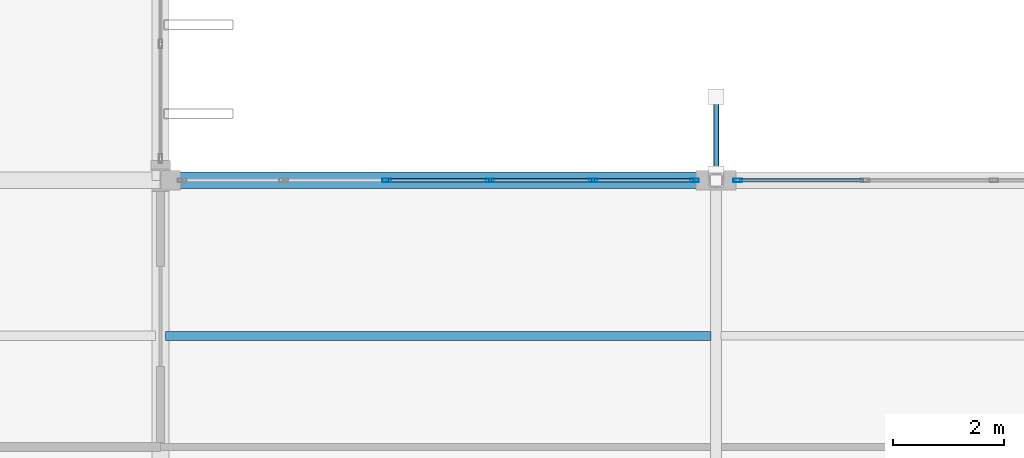
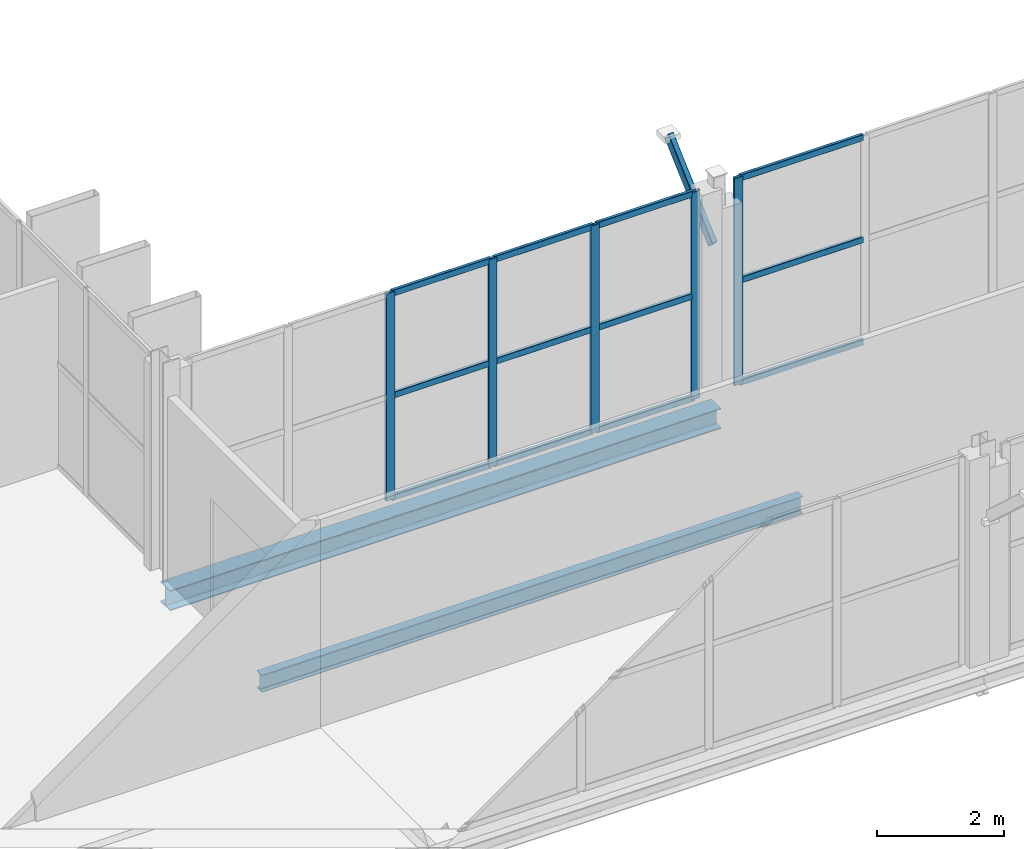
# One storey, part 46 of 101: 18 members, 2 beams, 2 elements without a shape of their own.
"""IFC4 building model written with IfcOpenShell, lengths in metres."""

from ifc_helpers import new_model, si_unit, direction, frame, origin, origin_2d, place, context, subcontext, project, spatial, hollow_rectangle, i_section, extrude, material, layer, layer_set, material_profile, profile_set, type_object, element, aggregate, save


model = new_model("IFC4")

# Units and contexts
model_context = context("Model", 3, precision=1e-05, world=origin(), true_north=direction((0.0, 1.0)))
body_context = subcontext(model_context, "Body", "Model", "MODEL_VIEW")
ifc_project = project(units=[si_unit("LENGTHUNIT", "METRE"), si_unit("AREAUNIT", "SQUARE_METRE"), si_unit("VOLUMEUNIT", "CUBIC_METRE"), si_unit("PLANEANGLEUNIT", "RADIAN"), si_unit("MASSUNIT", "GRAM", prefix="KILO")], contexts=[model_context])

# Site, building, storey
site_placement = place(None, origin())
site = spatial("IfcSite", under=ifc_project, at=site_placement, CompositionType="ELEMENT")
building_placement = place(site_placement, origin())
building = spatial("IfcBuilding", under=site, at=building_placement, Name="Vekula Escarpment Museum", CompositionType="ELEMENT")
storey_placement = place(building_placement, frame((0.0, 0.0, 18.0)))
storey = spatial("IfcBuildingStorey", under=building, at=storey_placement, Name="L04", CompositionType="ELEMENT", Elevation=18.0)

# Beams
ifc_material_1 = material(Name="Steel S355", Category="steel")
ifc_material_profile_1 = material_profile(ifc_material_1, i_section(OverallWidth=0.159912109375, OverallDepth=0.330078125, WebThickness=0.007568359375, FlangeThickness=0.011474609375, FilletRadius=0.01806640625, at=origin_2d()), Name="IPE 330")
ifc_profile_set_1 = profile_set([ifc_material_profile_1], Name="Steel S355")
beam_type_1 = type_object("IfcBeamType", Name="BM-JST-IPE330", PredefinedType="JOIST", material=ifc_profile_set_1)
beam_1_placement = place(storey_placement, frame((126.090087890625, 73.60009765625, -0.405029296875), z_axis=(1.0, 0.0, 0.0), x_axis=(0.0, 1.0, 0.0)))
element("IfcBeam", 1, at=beam_1_placement, inside=storey, type_object=beam_type_1, Name="Secondary Joist L04 1239", PredefinedType="JOIST", context=body_context, shape_type="SweptSolid", body=[
    extrude(i_section(OverallWidth=0.159912109375, OverallDepth=0.330078125, WebThickness=0.007568359375, FlangeThickness=0.011474609375, FilletRadius=0.01806640625, at=origin_2d()), origin(), (0.0, 0.0, 1.0), 9.81982421875),
])
ifc_material_2 = material(Name="Steel S355", Category="steel")
ifc_material_profile_2 = material_profile(ifc_material_2, i_section(OverallWidth=0.300048828125, OverallDepth=0.389892578125, WebThickness=0.010986328125, FlangeThickness=0.01904296875, FilletRadius=0.027099609375, at=origin_2d()), Name="HEA 400")
ifc_profile_set_2 = profile_set([ifc_material_profile_2], Name="Steel S355")
beam_type_2 = type_object("IfcBeamType", Name="BM-SPAN-HEA400", PredefinedType="SPANDREL", material=ifc_profile_set_2)
beam_2_placement = place(storey_placement, frame((126.0, 76.39990234375, -0.43505859375), z_axis=(1.0, 0.0, 0.0), x_axis=(0.0, 1.0, 0.0)))
element("IfcBeam", 2, at=beam_2_placement, inside=storey, type_object=beam_type_2, Name="Beam X L04 1756", PredefinedType="SPANDREL", context=body_context, shape_type="SweptSolid", body=[
    extrude(i_section(OverallWidth=0.300048828125, OverallDepth=0.389892578125, WebThickness=0.010986328125, FlangeThickness=0.01904296875, FilletRadius=0.027099609375, at=origin_2d()), origin(), (0.0, 0.0, 1.0), 10.0),
])

# Curtain wall, member
ifc_material_3 = material(Name="Aluminium thermally broken framing", Category="aluminium")
ifc_layer_1 = layer(ifc_material_3, 0.169921875)
ifc_layer_set_1 = layer_set([ifc_layer_1], Name="Aluminium thermally broken framing")
curtain_wall_type_1 = type_object("IfcCurtainWallType", Name="CW-SYS-10", PredefinedType="NOTDEFINED", material=ifc_layer_set_1)
curtain_wall_1_placement = place(storey_placement, origin())
curtain_wall_1 = element("IfcCurtainWall", 3, at=curtain_wall_1_placement, inside=storey, type_object=curtain_wall_type_1, Name="Curtain Wall CW-L04-150", PredefinedType="NOTDEFINED")
ifc_material_4 = material(Name="Aluminium anodized mullion", Category="aluminium")
ifc_material_profile_3 = material_profile(ifc_material_4, hollow_rectangle(XDim=0.06005859375, YDim=0.159912109375, WallThickness=0.00390625, InnerFilletRadius=0.00390625, OuterFilletRadius=0.008056640625, at=origin_2d()), Name="ALU 160x60x4")
ifc_profile_set_3 = profile_set([ifc_material_profile_3], Name="Aluminium anodized mullion")
member_type_1 = type_object("IfcMemberType", Name="CW-MUL-160", PredefinedType="MULLION", material=ifc_profile_set_3)
member_1_placement = place(storey_placement, frame((136.389892578125, 76.39990234375, 0.0), z_axis=(0.0, 0.0, 1.0), x_axis=(0.0, -1.0, 0.0)))
member_1 = element("IfcMember", 4, at=member_1_placement, type_object=member_type_1, Name="CW-10 mullion 5", PredefinedType="MULLION", context=body_context, shape_type="SweptSolid", body=[
    extrude(hollow_rectangle(XDim=0.06005859375, YDim=0.159912109375, WallThickness=0.00390625, InnerFilletRadius=0.00390625, OuterFilletRadius=0.008056640625, at=origin_2d()), origin(), (0.0, 0.0, 1.0), 3.97998046875),
])

# Curtain wall, members
ifc_material_5 = material(Name="Aluminium thermally broken framing", Category="aluminium")
ifc_layer_2 = layer(ifc_material_5, 0.159912109375)
ifc_layer_set_2 = layer_set([ifc_layer_2], Name="Aluminium thermally broken framing")
curtain_wall_type_2 = type_object("IfcCurtainWallType", Name="CW-SYS-01", PredefinedType="NOTDEFINED", material=ifc_layer_set_2)
curtain_wall_2_placement = place(storey_placement, origin())
curtain_wall_2 = element("IfcCurtainWall", 5, at=curtain_wall_2_placement, inside=storey, type_object=curtain_wall_type_2, Name="Curtain Wall CW-L04-151", PredefinedType="NOTDEFINED")
member_2_placement = place(storey_placement, frame((135.610107421875, 76.39990234375, 0.0), z_axis=(0.0, 0.0, 1.0), x_axis=(0.0, -1.0, 0.0)))
member_2 = element("IfcMember", 6, at=member_2_placement, type_object=member_type_1, Name="CW-01 mullion 1", PredefinedType="MULLION", context=body_context, shape_type="SweptSolid", body=[
    extrude(hollow_rectangle(XDim=0.06005859375, YDim=0.159912109375, WallThickness=0.00390625, InnerFilletRadius=0.00390625, OuterFilletRadius=0.008056640625, at=origin_2d()), origin(), (0.0, 0.0, 1.0), 3.97998046875),
])
member_3_placement = place(storey_placement, frame((133.783935546875, 76.39990234375, 0.0), z_axis=(0.0, 0.0, 1.0), x_axis=(0.0, -1.0, 0.0)))
member_3 = element("IfcMember", 7, at=member_3_placement, type_object=member_type_1, Name="CW-01 mullion 2", PredefinedType="MULLION", context=body_context, shape_type="SweptSolid", body=[
    extrude(hollow_rectangle(XDim=0.06005859375, YDim=0.159912109375, WallThickness=0.00390625, InnerFilletRadius=0.00390625, OuterFilletRadius=0.008056640625, at=origin_2d()), origin(), (0.0, 0.0, 1.0), 3.97998046875),
])
member_4_placement = place(storey_placement, frame((131.927978515625, 76.39990234375, 0.0), z_axis=(0.0, 0.0, 1.0), x_axis=(0.0, -1.0, 0.0)))
member_4 = element("IfcMember", 8, at=member_4_placement, type_object=member_type_1, Name="CW-01 mullion 3", PredefinedType="MULLION", context=body_context, shape_type="SweptSolid", body=[
    extrude(hollow_rectangle(XDim=0.06005859375, YDim=0.159912109375, WallThickness=0.00390625, InnerFilletRadius=0.00390625, OuterFilletRadius=0.008056640625, at=origin_2d()), origin(), (0.0, 0.0, 1.0), 3.97998046875),
])
member_5_placement = place(storey_placement, frame((130.072021484375, 76.39990234375, 0.0), z_axis=(0.0, 0.0, 1.0), x_axis=(0.0, -1.0, 0.0)))
member_5 = element("IfcMember", 9, at=member_5_placement, type_object=member_type_1, Name="CW-01 mullion 4", PredefinedType="MULLION", context=body_context, shape_type="SweptSolid", body=[
    extrude(hollow_rectangle(XDim=0.06005859375, YDim=0.159912109375, WallThickness=0.00390625, InnerFilletRadius=0.00390625, OuterFilletRadius=0.008056640625, at=origin_2d()), origin(), (0.0, 0.0, 1.0), 3.97998046875),
])

# Member
ifc_material_6 = material(Name="Aluminium anodized transom", Category="aluminium")
ifc_material_profile_4 = material_profile(ifc_material_6, hollow_rectangle(XDim=0.06005859375, YDim=0.1201171875, WallThickness=0.00390625, InnerFilletRadius=0.00390625, OuterFilletRadius=0.008056640625, at=origin_2d()), Name="ALU 120x60x4")
ifc_profile_set_4 = profile_set([ifc_material_profile_4], Name="Aluminium anodized transom")
member_type_2 = type_object("IfcMemberType", Name="CW-TRN-120", PredefinedType="USERDEFINED", material=ifc_profile_set_4)
member_6_placement = place(storey_placement, frame((138.64990234375, 76.39990234375, 0.030029296875), z_axis=(-1.0, 0.0, 0.0), x_axis=(0.0, -1.0, 0.0)))
member_6 = element("IfcMember", 10, at=member_6_placement, type_object=member_type_2, Name="CW-10 transom 4.1", ObjectType="TRANSOM", PredefinedType="USERDEFINED", context=body_context, shape_type="SweptSolid", body=[
    extrude(hollow_rectangle(XDim=0.06005859375, YDim=0.1201171875, WallThickness=0.00390625, InnerFilletRadius=0.00390625, OuterFilletRadius=0.008056640625, at=origin_2d()), origin(), (0.0, 0.0, 1.0), 2.22998046875),
])

member_7_placement = place(storey_placement, frame((138.64990234375, 76.39990234375, 1.989990234375), z_axis=(-1.0, 0.0, 0.0), x_axis=(0.0, -1.0, 0.0)))
member_7 = element("IfcMember", 11, at=member_7_placement, type_object=member_type_2, Name="CW-10 transom 4.2", ObjectType="TRANSOM", PredefinedType="USERDEFINED", context=body_context, shape_type="SweptSolid", body=[
    extrude(hollow_rectangle(XDim=0.06005859375, YDim=0.1201171875, WallThickness=0.00390625, InnerFilletRadius=0.00390625, OuterFilletRadius=0.008056640625, at=origin_2d()), origin(), (0.0, 0.0, 1.0), 2.22998046875),
])

member_8_placement = place(storey_placement, frame((138.64990234375, 76.39990234375, 3.949951171875), z_axis=(-1.0, 0.0, 0.0), x_axis=(0.0, -1.0, 0.0)))
member_8 = element("IfcMember", 12, at=member_8_placement, type_object=member_type_2, Name="CW-10 transom 4.3", ObjectType="TRANSOM", PredefinedType="USERDEFINED", context=body_context, shape_type="SweptSolid", body=[
    extrude(hollow_rectangle(XDim=0.06005859375, YDim=0.1201171875, WallThickness=0.00390625, InnerFilletRadius=0.00390625, OuterFilletRadius=0.008056640625, at=origin_2d()), origin(), (0.0, 0.0, 1.0), 2.22998046875),
])

aggregate(curtain_wall_1, [member_1, member_6, member_7, member_8])

member_9_placement = place(storey_placement, frame((135.580078125, 76.39990234375, 0.030029296875), z_axis=(-1.0, 0.0, 0.0), x_axis=(0.0, -1.0, 0.0)))
member_9 = element("IfcMember", 13, at=member_9_placement, type_object=member_type_2, Name="CW-01 transom 1.1", ObjectType="TRANSOM", PredefinedType="USERDEFINED", context=body_context, shape_type="SweptSolid", body=[
    extrude(hollow_rectangle(XDim=0.06005859375, YDim=0.1201171875, WallThickness=0.00390625, InnerFilletRadius=0.00390625, OuterFilletRadius=0.008056640625, at=origin_2d()), origin(), (0.0, 0.0, 1.0), 1.76611328125),
])

member_10_placement = place(storey_placement, frame((135.580078125, 76.39990234375, 1.989990234375), z_axis=(-1.0, 0.0, 0.0), x_axis=(0.0, -1.0, 0.0)))
member_10 = element("IfcMember", 14, at=member_10_placement, type_object=member_type_2, Name="CW-01 transom 1.2", ObjectType="TRANSOM", PredefinedType="USERDEFINED", context=body_context, shape_type="SweptSolid", body=[
    extrude(hollow_rectangle(XDim=0.06005859375, YDim=0.1201171875, WallThickness=0.00390625, InnerFilletRadius=0.00390625, OuterFilletRadius=0.008056640625, at=origin_2d()), origin(), (0.0, 0.0, 1.0), 1.76611328125),
])

member_11_placement = place(storey_placement, frame((135.580078125, 76.39990234375, 3.949951171875), z_axis=(-1.0, 0.0, 0.0), x_axis=(0.0, -1.0, 0.0)))
member_11 = element("IfcMember", 15, at=member_11_placement, type_object=member_type_2, Name="CW-01 transom 1.3", ObjectType="TRANSOM", PredefinedType="USERDEFINED", context=body_context, shape_type="SweptSolid", body=[
    extrude(hollow_rectangle(XDim=0.06005859375, YDim=0.1201171875, WallThickness=0.00390625, InnerFilletRadius=0.00390625, OuterFilletRadius=0.008056640625, at=origin_2d()), origin(), (0.0, 0.0, 1.0), 1.76611328125),
])

member_12_placement = place(storey_placement, frame((133.75390625, 76.39990234375, 0.030029296875), z_axis=(-1.0, 0.0, 0.0), x_axis=(0.0, -1.0, 0.0)))
member_12 = element("IfcMember", 16, at=member_12_placement, type_object=member_type_2, Name="CW-01 transom 2.1", ObjectType="TRANSOM", PredefinedType="USERDEFINED", context=body_context, shape_type="SweptSolid", body=[
    extrude(hollow_rectangle(XDim=0.06005859375, YDim=0.1201171875, WallThickness=0.00390625, InnerFilletRadius=0.00390625, OuterFilletRadius=0.008056640625, at=origin_2d()), origin(), (0.0, 0.0, 1.0), 1.7958984375),
])

member_13_placement = place(storey_placement, frame((133.75390625, 76.39990234375, 1.989990234375), z_axis=(-1.0, 0.0, 0.0), x_axis=(0.0, -1.0, 0.0)))
member_13 = element("IfcMember", 17, at=member_13_placement, type_object=member_type_2, Name="CW-01 transom 2.2", ObjectType="TRANSOM", PredefinedType="USERDEFINED", context=body_context, shape_type="SweptSolid", body=[
    extrude(hollow_rectangle(XDim=0.06005859375, YDim=0.1201171875, WallThickness=0.00390625, InnerFilletRadius=0.00390625, OuterFilletRadius=0.008056640625, at=origin_2d()), origin(), (0.0, 0.0, 1.0), 1.7958984375),
])

member_14_placement = place(storey_placement, frame((133.75390625, 76.39990234375, 3.949951171875), z_axis=(-1.0, 0.0, 0.0), x_axis=(0.0, -1.0, 0.0)))
member_14 = element("IfcMember", 18, at=member_14_placement, type_object=member_type_2, Name="CW-01 transom 2.3", ObjectType="TRANSOM", PredefinedType="USERDEFINED", context=body_context, shape_type="SweptSolid", body=[
    extrude(hollow_rectangle(XDim=0.06005859375, YDim=0.1201171875, WallThickness=0.00390625, InnerFilletRadius=0.00390625, OuterFilletRadius=0.008056640625, at=origin_2d()), origin(), (0.0, 0.0, 1.0), 1.7958984375),
])

member_15_placement = place(storey_placement, frame((131.89794921875, 76.39990234375, 0.030029296875), z_axis=(-1.0, 0.0, 0.0), x_axis=(0.0, -1.0, 0.0)))
member_15 = element("IfcMember", 19, at=member_15_placement, type_object=member_type_2, Name="CW-01 transom 3.1", ObjectType="TRANSOM", PredefinedType="USERDEFINED", context=body_context, shape_type="SweptSolid", body=[
    extrude(hollow_rectangle(XDim=0.06005859375, YDim=0.1201171875, WallThickness=0.00390625, InnerFilletRadius=0.00390625, OuterFilletRadius=0.008056640625, at=origin_2d()), origin(), (0.0, 0.0, 1.0), 1.7958984375),
])

member_16_placement = place(storey_placement, frame((131.89794921875, 76.39990234375, 1.989990234375), z_axis=(-1.0, 0.0, 0.0), x_axis=(0.0, -1.0, 0.0)))
member_16 = element("IfcMember", 20, at=member_16_placement, type_object=member_type_2, Name="CW-01 transom 3.2", ObjectType="TRANSOM", PredefinedType="USERDEFINED", context=body_context, shape_type="SweptSolid", body=[
    extrude(hollow_rectangle(XDim=0.06005859375, YDim=0.1201171875, WallThickness=0.00390625, InnerFilletRadius=0.00390625, OuterFilletRadius=0.008056640625, at=origin_2d()), origin(), (0.0, 0.0, 1.0), 1.7958984375),
])

member_17_placement = place(storey_placement, frame((131.89794921875, 76.39990234375, 3.949951171875), z_axis=(-1.0, 0.0, 0.0), x_axis=(0.0, -1.0, 0.0)))
member_17 = element("IfcMember", 21, at=member_17_placement, type_object=member_type_2, Name="CW-01 transom 3.3", ObjectType="TRANSOM", PredefinedType="USERDEFINED", context=body_context, shape_type="SweptSolid", body=[
    extrude(hollow_rectangle(XDim=0.06005859375, YDim=0.1201171875, WallThickness=0.00390625, InnerFilletRadius=0.00390625, OuterFilletRadius=0.008056640625, at=origin_2d()), origin(), (0.0, 0.0, 1.0), 1.7958984375),
])

aggregate(curtain_wall_2, [member_2, member_3, member_4, member_5, member_9, member_10, member_11, member_12, member_13, member_14, member_15, member_16, member_17])

ifc_material_7 = material(Name="Steel S355", Category="steel")
ifc_material_profile_5 = material_profile(ifc_material_7, hollow_rectangle(XDim=0.10009765625, YDim=0.199951171875, WallThickness=0.008056640625, InnerFilletRadius=0.008056640625, OuterFilletRadius=0.01611328125, at=origin_2d()), Name="RHS 200x100x8")
ifc_profile_set_5 = profile_set([ifc_material_profile_5], Name="Steel S355")
member_type_3 = type_object("IfcMemberType", Name="MB-SACAK-BRK", PredefinedType="STRUT", material=ifc_profile_set_5)
member_18_placement = place(storey_placement, frame((136.0, 76.52001953125, 2.75), z_axis=(0.0, 0.738454378718, 0.674303441006), x_axis=(-1.0, 0.0, 0.0)))
element("IfcMember", 22, at=member_18_placement, inside=storey, type_object=member_type_3, Name="Ottoman Sacak Eave Bracket L05-0124", PredefinedType="STRUT", context=body_context, shape_type="SweptSolid", body=[
    extrude(hollow_rectangle(XDim=0.10009765625, YDim=0.199951171875, WallThickness=0.008056640625, InnerFilletRadius=0.008056640625, OuterFilletRadius=0.01611328125, at=origin_2d()), origin(), (0.0, 0.0, 1.0), 1.86865234375),
])

save(model, "model.ifc")
